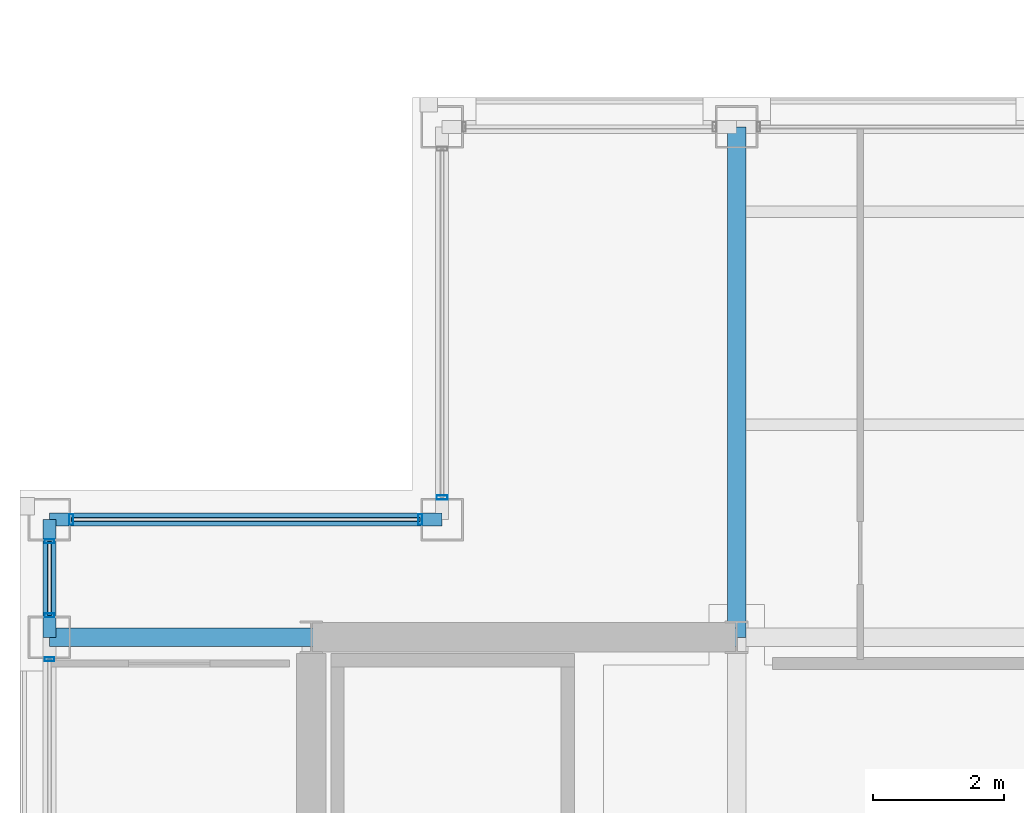
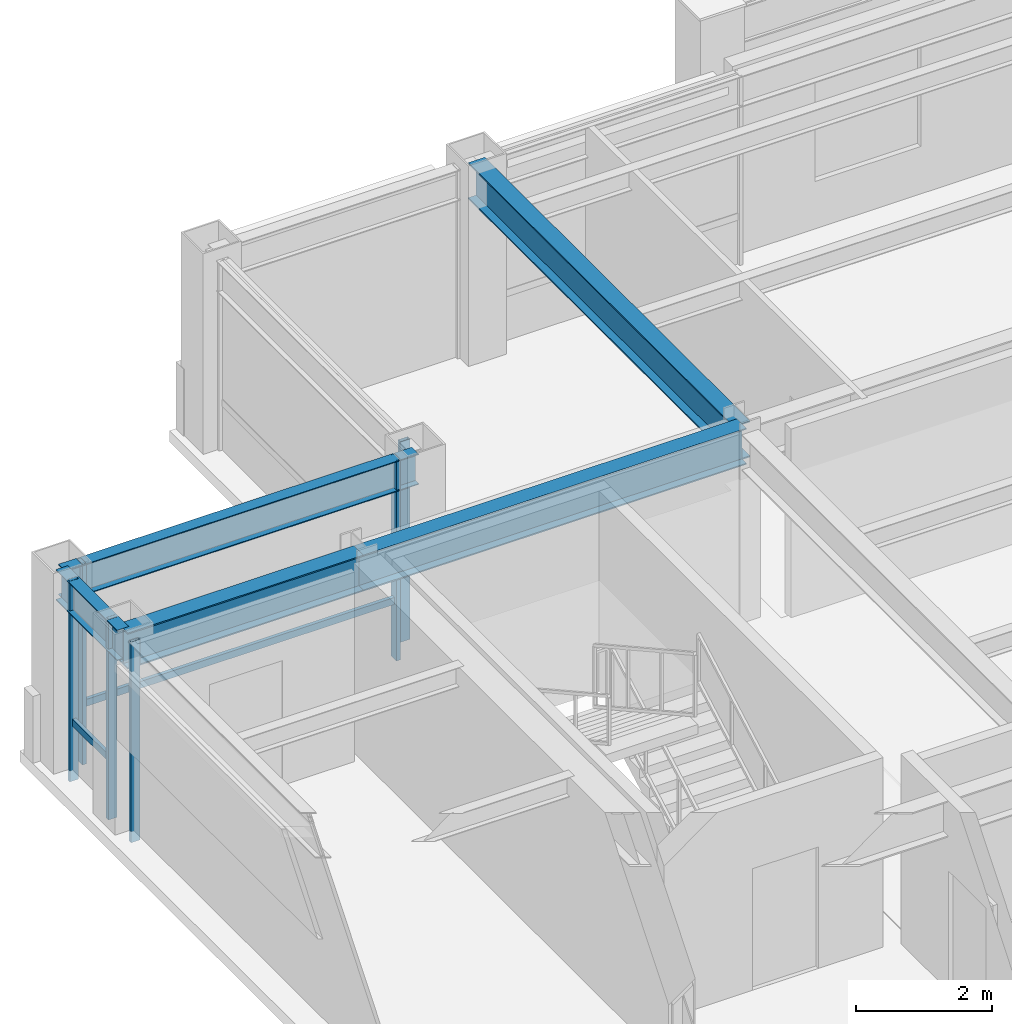
# One storey, part 8 of 23: 8 members, 5 beams, 4 elements without a shape of their own.
"""IFC4 building model written with IfcOpenShell, lengths in metres."""

from ifc_helpers import new_model, si_unit, direction, frame, origin, origin_2d, place, context, subcontext, project, spatial, hollow_rectangle, i_section, extrude, material, layer, layer_set, material_profile, profile_set, type_object, element, aggregate, save


model = new_model("IFC4")

# Units and contexts
model_context = context("Model", 3, precision=1e-05, world=origin(), true_north=direction((0.0, 1.0)))
body_context = subcontext(model_context, "Body", "Model", "MODEL_VIEW")
ifc_project = project(units=[si_unit("LENGTHUNIT", "METRE"), si_unit("AREAUNIT", "SQUARE_METRE"), si_unit("VOLUMEUNIT", "CUBIC_METRE"), si_unit("PLANEANGLEUNIT", "RADIAN"), si_unit("MASSUNIT", "GRAM", prefix="KILO")], contexts=[model_context])

# Site, building, storey
site_placement = place(None, origin())
site = spatial("IfcSite", under=ifc_project, at=site_placement, CompositionType="ELEMENT")
building_placement = place(site_placement, origin())
building = spatial("IfcBuilding", under=site, at=building_placement, Name="Brelmoor Portico Tower", CompositionType="ELEMENT")
storey_placement = place(building_placement, frame((0.0, 0.0, 222.0)))
storey = spatial("IfcBuildingStorey", under=building, at=storey_placement, Name="L58", CompositionType="ELEMENT", Elevation=222.0)

# Beams
ifc_material_1 = material(Name="Steel Q355B", Category="steel")
ifc_material_profile_1 = material_profile(ifc_material_1, i_section(OverallWidth=0.280029296875, OverallDepth=0.64990234375, WebThickness=0.012939453125, FlangeThickness=0.02197265625, at=origin_2d()), Name="HN 650x280x13x22")
ifc_profile_set_1 = profile_set([ifc_material_profile_1], Name="Steel Q355B")
beam_type_1 = type_object("IfcBeamType", Name="BM-PG-650", PredefinedType="BEAM", material=ifc_profile_set_1)
beam_1_placement = place(storey_placement, frame((-8.050048828125, 9.75, 3.074951171875), z_axis=(0.0, 1.0, 0.0), x_axis=(-1.0, 0.0, 0.0)))
element("IfcBeam", 1, at=beam_1_placement, inside=storey, type_object=beam_type_1, Name="L58 Primary Floor Girder PG-05", PredefinedType="BEAM", context=body_context, shape_type="SweptSolid", body=[
    extrude(i_section(OverallWidth=0.280029296875, OverallDepth=0.64990234375, WebThickness=0.012939453125, FlangeThickness=0.02197265625, at=origin_2d()), origin(), (0.0, 0.0, 1.0), 7.800048828125),
])
beam_2_placement = place(storey_placement, frame((-18.550048828125, 9.75, 3.074951171875), z_axis=(1.0, 0.0, 0.0), x_axis=(0.0, 1.0, 0.0)))
element("IfcBeam", 2, at=beam_2_placement, inside=storey, type_object=beam_type_1, Name="L58 Primary Floor Girder PG-19", PredefinedType="BEAM", context=body_context, shape_type="SweptSolid", body=[
    extrude(i_section(OverallWidth=0.280029296875, OverallDepth=0.64990234375, WebThickness=0.012939453125, FlangeThickness=0.02197265625, at=origin_2d()), origin(), (0.0, 0.0, 1.0), 4.0),
])
beam_3_placement = place(storey_placement, frame((-14.550048828125, 9.75, 3.074951171875), z_axis=(1.0, 0.0, 0.0), x_axis=(0.0, 1.0, 0.0)))
element("IfcBeam", 3, at=beam_3_placement, inside=storey, type_object=beam_type_1, Name="L58 Primary Floor Girder PG-20", PredefinedType="BEAM", context=body_context, shape_type="SweptSolid", body=[
    extrude(i_section(OverallWidth=0.280029296875, OverallDepth=0.64990234375, WebThickness=0.012939453125, FlangeThickness=0.02197265625, at=origin_2d()), origin(), (0.0, 0.0, 1.0), 6.5),
])
ifc_material_profile_2 = material_profile(ifc_material_1, i_section(OverallWidth=0.199951171875, OverallDepth=0.550048828125, WebThickness=0.010009765625, FlangeThickness=0.01611328125, at=origin_2d()), Name="HN 550x200x10x16")
ifc_profile_set_2 = profile_set([ifc_material_profile_2], Name="Steel Q355B")
beam_type_2 = type_object("IfcBeamType", Name="BM-SP-550", PredefinedType="SPANDREL", material=ifc_profile_set_2)
beam_4_placement = place(storey_placement, frame((-18.550048828125, 11.550048828125, 3.125), z_axis=(1.0, 0.0, 0.0), x_axis=(0.0, 1.0, 0.0)))
element("IfcBeam", 4, at=beam_4_placement, inside=storey, type_object=beam_type_2, Name="L58 Perimeter Spandrel Beam SP-06", PredefinedType="SPANDREL", context=body_context, shape_type="SweptSolid", body=[
    extrude(i_section(OverallWidth=0.199951171875, OverallDepth=0.550048828125, WebThickness=0.010009765625, FlangeThickness=0.01611328125, at=origin_2d()), origin(), (0.0, 0.0, 1.0), 6.0),
])
beam_5_placement = place(storey_placement, frame((-18.550048828125, 9.75, 3.125), z_axis=(0.0, 1.0, 0.0), x_axis=(-1.0, 0.0, 0.0)))
element("IfcBeam", 5, at=beam_5_placement, inside=storey, type_object=beam_type_2, Name="L58 Perimeter Spandrel Beam SP-13", PredefinedType="SPANDREL", context=body_context, shape_type="SweptSolid", body=[
    extrude(i_section(OverallWidth=0.199951171875, OverallDepth=0.550048828125, WebThickness=0.010009765625, FlangeThickness=0.01611328125, at=origin_2d()), origin(), (0.0, 0.0, 1.0), 1.800048828125),
])

# Curtain wall, member
ifc_material_2 = material(Name="Anodised Aluminium Alloy 6063-T6", Category="aluminium")
ifc_layer_1 = layer(ifc_material_2, 0.179931640625)
ifc_layer_set_1 = layer_set([ifc_layer_1], Name="Anodised Aluminium Alloy 6063-T6")
curtain_wall_type_1 = type_object("IfcCurtainWallType", Name="CW-TOWER-Z4-XB", PredefinedType="NOTDEFINED", material=ifc_layer_set_1)
curtain_wall_1_placement = place(storey_placement, origin())
curtain_wall_1 = element("IfcCurtainWall", 6, at=curtain_wall_1_placement, inside=storey, type_object=curtain_wall_type_1, Name="L58 Curtain Wall CW-L58-03-2", PredefinedType="NOTDEFINED")
ifc_material_profile_3 = material_profile(ifc_material_2, hollow_rectangle(XDim=0.06005859375, YDim=0.14990234375, WallThickness=0.00390625, at=origin_2d()), Name="ALU MULLION 60x150")
ifc_profile_set_3 = profile_set([ifc_material_profile_3], Name="Anodised Aluminium Alloy 6063-T6")
member_type_1 = type_object("IfcMemberType", Name="MB-CW-MULL-150", PredefinedType="MULLION", material=ifc_profile_set_3)
member_1_placement = place(storey_placement, frame((-18.550048828125, 9.4150390625, -0.199951171875), z_axis=(0.0, 0.0, 1.0), x_axis=(0.0, 1.0, 0.0)))
member_1 = element("IfcMember", 7, at=member_1_placement, type_object=member_type_1, Name="CW-L58-03-2 Mullion 02", PredefinedType="MULLION", context=body_context, shape_type="SweptSolid", body=[
    extrude(hollow_rectangle(XDim=0.06005859375, YDim=0.14990234375, WallThickness=0.00390625, at=origin_2d()), origin(), (0.0, 0.0, 1.0), 3.599853515625),
])
aggregate(curtain_wall_1, [member_1])

# Curtain wall, members
ifc_layer_2 = layer(ifc_material_2, 0.179931640625)
ifc_layer_set_2 = layer_set([ifc_layer_2], Name="Anodised Aluminium Alloy 6063-T6")
curtain_wall_type_2 = type_object("IfcCurtainWallType", Name="CW-TOWER-Z4", PredefinedType="NOTDEFINED", material=ifc_layer_set_2)
curtain_wall_2_placement = place(storey_placement, origin())
curtain_wall_2 = element("IfcCurtainWall", 8, at=curtain_wall_2_placement, inside=storey, type_object=curtain_wall_type_2, Name="L58 Curtain Wall CW-L58-03-3", PredefinedType="NOTDEFINED")
member_2_placement = place(storey_placement, frame((-18.550048828125, 10.0849609375, -0.199951171875), z_axis=(0.0, 0.0, 1.0), x_axis=(0.0, 1.0, 0.0)))
member_2 = element("IfcMember", 9, at=member_2_placement, type_object=member_type_1, Name="CW-L58-03-3 Mullion 00", PredefinedType="MULLION", context=body_context, shape_type="SweptSolid", body=[
    extrude(hollow_rectangle(XDim=0.06005859375, YDim=0.14990234375, WallThickness=0.00390625, at=origin_2d()), origin(), (0.0, 0.0, 1.0), 3.599853515625),
])
member_3_placement = place(storey_placement, frame((-18.550048828125, 11.215087890625, -0.199951171875), z_axis=(0.0, 0.0, 1.0), x_axis=(0.0, 1.0, 0.0)))
member_3 = element("IfcMember", 10, at=member_3_placement, type_object=member_type_1, Name="CW-L58-03-3 Mullion 01", PredefinedType="MULLION", context=body_context, shape_type="SweptSolid", body=[
    extrude(hollow_rectangle(XDim=0.06005859375, YDim=0.14990234375, WallThickness=0.00390625, at=origin_2d()), origin(), (0.0, 0.0, 1.0), 3.599853515625),
])

ifc_layer_3 = layer(ifc_material_2, 0.179931640625)
ifc_layer_set_3 = layer_set([ifc_layer_3], Name="Anodised Aluminium Alloy 6063-T6")
curtain_wall_type_3 = type_object("IfcCurtainWallType", Name="CW-NOTCH-CHAMFER", PredefinedType="NOTDEFINED", material=ifc_layer_set_3)
curtain_wall_3_placement = place(storey_placement, origin())
curtain_wall_3 = element("IfcCurtainWall", 11, at=curtain_wall_3_placement, inside=storey, type_object=curtain_wall_type_3, Name="L58 Curtain Wall CWN-L58-NWH", PredefinedType="NOTDEFINED")
ifc_material_profile_4 = material_profile(ifc_material_2, hollow_rectangle(XDim=0.06494140625, YDim=0.1650390625, WallThickness=0.00390625, at=origin_2d()), Name="ALU MULLION 65x165")
ifc_profile_set_4 = profile_set([ifc_material_profile_4], Name="Anodised Aluminium Alloy 6063-T6")
member_type_2 = type_object("IfcMemberType", Name="MB-CW-MULL-165", PredefinedType="MULLION", material=ifc_profile_set_4)
member_4_placement = place(storey_placement, frame((-18.215087890625, 11.550048828125, -0.199951171875), z_axis=(0.0, 0.0, 1.0), x_axis=(1.0, 0.0, 0.0)))
member_4 = element("IfcMember", 12, at=member_4_placement, type_object=member_type_2, Name="CWN-L58-NWH Mullion 00", PredefinedType="MULLION", context=body_context, shape_type="SweptSolid", body=[
    extrude(hollow_rectangle(XDim=0.06494140625, YDim=0.1650390625, WallThickness=0.00390625, at=origin_2d()), origin(), (0.0, 0.0, 1.0), 3.599853515625),
])
member_5_placement = place(storey_placement, frame((-12.885009765625, 11.550048828125, -0.199951171875), z_axis=(0.0, 0.0, 1.0), x_axis=(1.0, 0.0, 0.0)))
member_5 = element("IfcMember", 13, at=member_5_placement, type_object=member_type_2, Name="CWN-L58-NWH Mullion 01", PredefinedType="MULLION", context=body_context, shape_type="SweptSolid", body=[
    extrude(hollow_rectangle(XDim=0.06494140625, YDim=0.1650390625, WallThickness=0.00390625, at=origin_2d()), origin(), (0.0, 0.0, 1.0), 3.599853515625),
])

# Curtain wall, member
curtain_wall_4_placement = place(storey_placement, origin())
curtain_wall_4 = element("IfcCurtainWall", 14, at=curtain_wall_4_placement, inside=storey, type_object=curtain_wall_type_3, Name="L58 Curtain Wall CWN-L58-NWV", PredefinedType="NOTDEFINED")
member_6_placement = place(storey_placement, frame((-12.550048828125, 11.885009765625, -0.199951171875), z_axis=(0.0, 0.0, 1.0), x_axis=(0.0, 1.0, 0.0)))
member_6 = element("IfcMember", 15, at=member_6_placement, type_object=member_type_2, Name="CWN-L58-NWV Mullion 00", PredefinedType="MULLION", context=body_context, shape_type="SweptSolid", body=[
    extrude(hollow_rectangle(XDim=0.06494140625, YDim=0.1650390625, WallThickness=0.00390625, at=origin_2d()), origin(), (0.0, 0.0, 1.0), 3.599853515625),
])
aggregate(curtain_wall_4, [member_6])

# Member
ifc_material_profile_5 = material_profile(ifc_material_2, hollow_rectangle(XDim=0.06005859375, YDim=0.125, WallThickness=0.00341796875, at=origin_2d()), Name="ALU TRANSOM 60x125")
ifc_profile_set_5 = profile_set([ifc_material_profile_5], Name="Anodised Aluminium Alloy 6063-T6")
member_type_3 = type_object("IfcMemberType", Name="MB-CW-TRAN-125", PredefinedType="USERDEFINED", material=ifc_profile_set_5)
member_7_placement = place(storey_placement, frame((-18.550048828125, 10.0849609375, 0.85009765625), z_axis=(0.0, 1.0, 0.0), x_axis=(-1.0, 0.0, 0.0)))
member_7 = element("IfcMember", 16, at=member_7_placement, type_object=member_type_3, Name="CW-L58-03-3 Transom 1-00", ObjectType="TRANSOM", PredefinedType="USERDEFINED", context=body_context, shape_type="SweptSolid", body=[
    extrude(hollow_rectangle(XDim=0.06005859375, YDim=0.125, WallThickness=0.00341796875, at=origin_2d()), origin(), (0.0, 0.0, 1.0), 1.130126953125),
])

aggregate(curtain_wall_2, [member_2, member_3, member_7])

member_8_placement = place(storey_placement, frame((-18.215087890625, 11.550048828125, 0.85009765625), z_axis=(1.0, 0.0, 0.0), x_axis=(0.0, 1.0, 0.0)))
member_8 = element("IfcMember", 17, at=member_8_placement, type_object=member_type_3, Name="CWN-L58-NWH Transom 1-00", ObjectType="TRANSOM", PredefinedType="USERDEFINED", context=body_context, shape_type="SweptSolid", body=[
    extrude(hollow_rectangle(XDim=0.06005859375, YDim=0.125, WallThickness=0.00341796875, at=origin_2d()), origin(), (0.0, 0.0, 1.0), 5.330078125),
])

aggregate(curtain_wall_3, [member_4, member_5, member_8])

save(model, "model.ifc")
